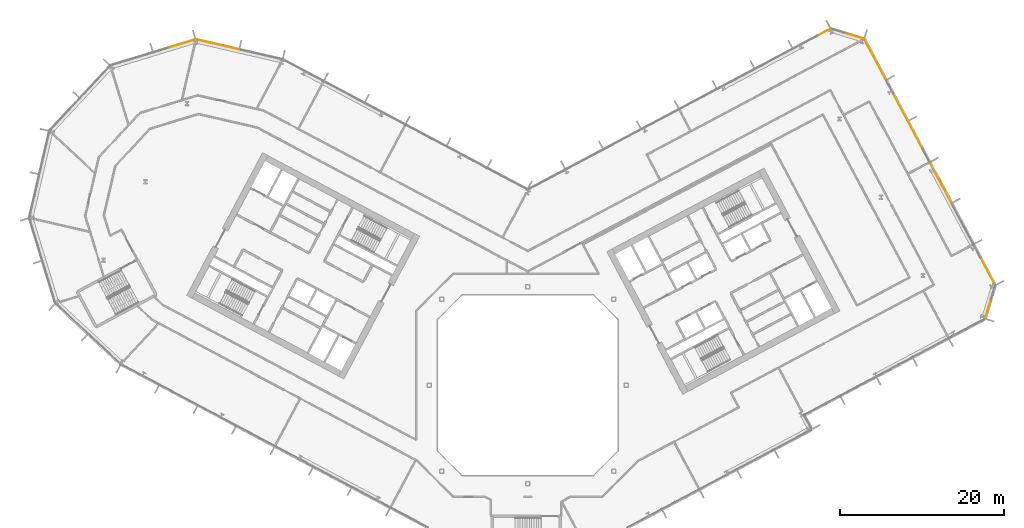
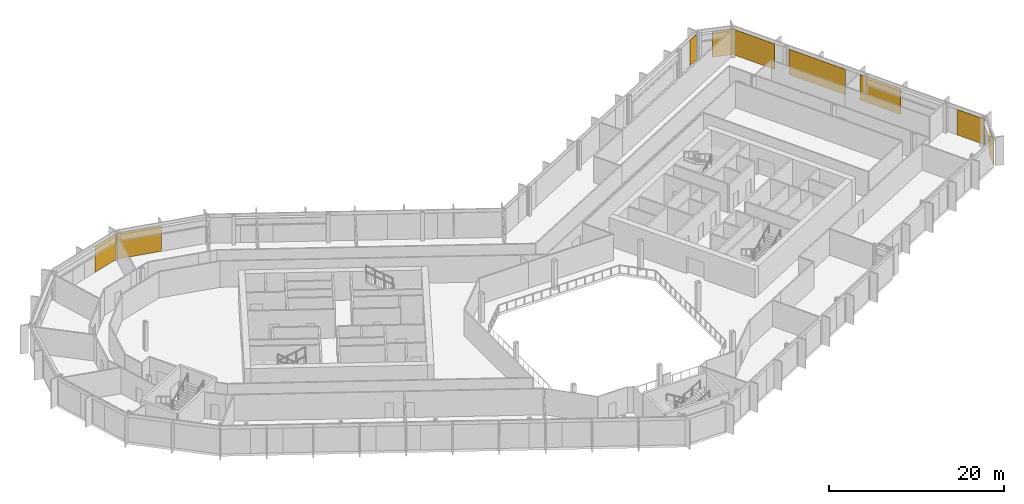
# One storey, part 28 of 28: 9 coverings, 6 elements without a shape of their own.
"""IFC4 building model written with IfcOpenShell, lengths in metres."""

import ifcopenshell
import ifcopenshell.guid

model = None  # the IFC model being written
_history = None  # IfcOwnerHistory: only IFC2X3 demands one
_inside = {}  # id of a spatial element -> (the spatial element, [elements in it])
_under = {}  # id of a project, library or spatial element -> (it, [spatial elements below it])
_declared = {}  # id of a project -> (the project, [libraries it declares])
_typed = {}  # id of a type object -> (the type object, [elements of that type])
_made_of = {}  # id of a material, layer set ... -> (it, [elements and type objects made of it])


def new_model(schema):
    """Start an empty IFC model of exactly this schema.

    Asked for "IFC4X3", IfcOpenShell would pick the latest addendum, in which some entities
    have other attributes; the version numbers below select the first issue.
    IFC2X3 requires an IfcOwnerHistory on every rooted entity: one is made here for all.
    """
    global model, _history
    if schema == "IFC4X3":
        model = ifcopenshell.file(schema_version=(4, 3, 0, 0))
    else:
        model = ifcopenshell.file(schema=schema)
    _inside.clear()
    _under.clear()
    _declared.clear()
    _typed.clear()
    _made_of.clear()
    _history = None
    if model.schema == "IFC2X3":
        org = make("IfcOrganization", Name="unknown")
        user = make(
            "IfcPersonAndOrganization",
            ThePerson=make("IfcPerson", FamilyName="unknown"),
            TheOrganization=org,
        )
        app = make(
            "IfcApplication",
            ApplicationDeveloper=org,
            Version="unknown",
            ApplicationFullName="unknown",
            ApplicationIdentifier="unknown",
        )
        _history = make(
            "IfcOwnerHistory",
            OwningUser=user,
            OwningApplication=app,
            ChangeAction="ADDED",
            CreationDate=0,
        )
    return model


def make(cls, **values):
    """One entity of the class cls with the attributes given. An attribute that is None is left unset."""
    return model.create_entity(
        cls, **{name: value for name, value in values.items() if value is not None}
    )


def rooted(cls, **values):
    """An entity with a GlobalId (a new one), such as an element, a storey or a relation."""
    return make(cls, GlobalId=ifcopenshell.guid.new(), OwnerHistory=_history, **values)


def si_unit(unit_type, name, prefix=None):
    """IfcSIUnit, for example si_unit("LENGTHUNIT", "METRE", prefix="MILLI")."""
    return make("IfcSIUnit", UnitType=unit_type, Prefix=prefix, Name=name)


def assignment(units):
    """IfcUnitAssignment: the units of a project."""
    return None if units is None else make("IfcUnitAssignment", Units=units)


def point(xyz):
    """IfcCartesianPoint."""
    return None if xyz is None else make("IfcCartesianPoint", Coordinates=xyz)


def direction(xyz):
    """IfcDirection."""
    return None if xyz is None else make("IfcDirection", DirectionRatios=xyz)


def frame(location, z_axis=None, x_axis=None):
    """IfcAxis2Placement3D, a coordinate frame: its origin and axes. An axis left out is left unset."""
    return make(
        "IfcAxis2Placement3D",
        Location=point(location),
        Axis=direction(z_axis),
        RefDirection=direction(x_axis),
    )


def frame_2d(location, x_axis=None):
    """IfcAxis2Placement2D, a coordinate frame in the plane: its origin and x axis."""
    return make(
        "IfcAxis2Placement2D", Location=point(location), RefDirection=direction(x_axis)
    )


def origin():
    """The frame at (0, 0, 0) with its axes left unset."""
    return frame((0.0, 0.0, 0.0))


def origin_2d():
    """The frame at (0, 0) in the plane with its x axis left unset."""
    return frame_2d((0.0, 0.0))


def place(relative_to, where):
    """IfcLocalPlacement: puts the frame where relative to a parent placement (None: the world)."""
    return make(
        "IfcLocalPlacement", PlacementRelTo=relative_to, RelativePlacement=where
    )


def context(
    kind, dimensions, precision=None, world=None, true_north=None, identifier=None
):
    """IfcGeometricRepresentationContext, for example the 3D "Model" context."""
    return make(
        "IfcGeometricRepresentationContext",
        ContextIdentifier=identifier,
        ContextType=kind,
        CoordinateSpaceDimension=dimensions,
        Precision=precision,
        WorldCoordinateSystem=world,
        TrueNorth=true_north,
    )


def subcontext(parent, identifier, kind, view, scale=None):
    """IfcGeometricRepresentationSubContext, for example "Body" below "Model"."""
    return make(
        "IfcGeometricRepresentationSubContext",
        ContextIdentifier=identifier,
        ContextType=kind,
        ParentContext=parent,
        TargetScale=scale,
        TargetView=view,
    )


def project(units=None, contexts=None):
    """IfcProject with its units and contexts."""
    return rooted(
        "IfcProject",
        Name="project",
        RepresentationContexts=contexts,
        UnitsInContext=assignment(units),
    )


def spatial(cls, under=None, at=None, **own):
    """A site, building, storey or space (cls), placed at a placement, below another one or the project."""
    s = rooted(cls, ObjectPlacement=at, **own)
    if under is not None:
        _under.setdefault(under.id(), (under, []))[1].append(s)
    return s


def profile(cls, at=None, kind="AREA", **sizes):
    """A parametric profile (cls). Its sizes go by their IFC names, for example OverallWidth=200.0."""
    return make(cls, ProfileType=kind, Position=at, **sizes)


def rectangle(**sizes):
    """IfcRectangleProfileDef."""
    return profile("IfcRectangleProfileDef", **sizes)


def extrude(swept, where, along, depth):
    """IfcExtrudedAreaSolid: the profile swept, set in the frame where, extruded along a direction by depth."""
    return make(
        "IfcExtrudedAreaSolid",
        SweptArea=swept,
        Position=where,
        ExtrudedDirection=direction(along),
        Depth=depth,
    )


def shape(context_of_items, identifier, shape_type, items):
    """IfcShapeRepresentation: the items that make up one representation, for example the "Body"."""
    return make(
        "IfcShapeRepresentation",
        ContextOfItems=context_of_items,
        RepresentationIdentifier=identifier,
        RepresentationType=shape_type,
        Items=items,
    )


def material(Name=None, Category=None):
    """IfcMaterial."""
    return make("IfcMaterial", Name=Name, Category=Category)


def layer(
    of_material, thickness, ventilated=None, Name=None, Category=None, Priority=None
):
    """IfcMaterialLayer: one layer of a wall or slab, of a material (None: an air gap)."""
    return make(
        "IfcMaterialLayer",
        Material=of_material,
        LayerThickness=thickness,
        IsVentilated=ventilated,
        Name=Name,
        Category=Category,
        Priority=Priority,
    )


def layer_set(layers, Name=None):
    """IfcMaterialLayerSet."""
    return make("IfcMaterialLayerSet", MaterialLayers=layers, LayerSetName=Name)


def made_of(thing, what):
    """Note that an element or type object is made of a material, layer set ...; save() writes the relation."""
    if what is not None:
        _made_of.setdefault(what.id(), (what, []))[1].append(thing)
    return thing


def type_object(cls, material=None, **own):
    """A type object (cls), such as IfcWallType, which elements share."""
    return made_of(rooted(cls, **own), material)


def element(
    cls,
    number,
    at=None,
    inside=None,
    cuts=None,
    type_object=None,
    material=None,
    context=None,
    identifier="Body",
    shape_type=None,
    held_by="IfcProductDefinitionShape",
    body=None,
    shapes=None,
    **own,
):
    """One element of the class cls, such as IfcWall. Its Tag is "e" and its number.

    at: its placement. inside: the storey or other place that contains it. cuts: it is an
    opening in that element (IfcRelVoidsElement). A single representation is given by context,
    identifier, shape_type and body (its items); several are given by shapes. held_by: the class
    of the entity that holds the representations. save() writes the other relations.
    """
    e = rooted(cls, Tag="e%d" % number, ObjectPlacement=at, **own)
    if body is not None:
        shapes = [shape(context, identifier, shape_type, body)]
    if shapes is not None:
        e.Representation = make(held_by, Representations=shapes)
    if inside is not None:
        _inside.setdefault(inside.id(), (inside, []))[1].append(e)
    if cuts is not None:
        rooted(
            "IfcRelVoidsElement", RelatingBuildingElement=cuts, RelatedOpeningElement=e
        )
    if type_object is not None:
        _typed.setdefault(type_object.id(), (type_object, []))[1].append(e)
    return made_of(e, material)


def aggregate(whole, parts):
    """IfcRelAggregates: a whole, such as a stair, and the parts it consists of."""
    return rooted("IfcRelAggregates", RelatingObject=whole, RelatedObjects=parts)


def save(model, path):
    """Write the relations noted so far, then the file.

    IfcRelAggregates (storeys below a building ...), IfcRelContainedInSpatialStructure (elements
    in a storey), IfcRelDefinesByType, IfcRelAssociatesMaterial and IfcRelDeclares: one each for
    every whole, place, type object, material and project.
    """
    for whole, parts in _under.values():
        aggregate(whole, parts)
    for where, things in _inside.values():
        rooted(
            "IfcRelContainedInSpatialStructure",
            RelatedElements=things,
            RelatingStructure=where,
        )
    for kind, things in _typed.values():
        rooted("IfcRelDefinesByType", RelatedObjects=things, RelatingType=kind)
    for what, things in _made_of.values():
        rooted("IfcRelAssociatesMaterial", RelatedObjects=things, RelatingMaterial=what)
    for by, libraries in _declared.values():
        rooted("IfcRelDeclares", RelatingContext=by, RelatedDefinitions=libraries)
    model.write(path)


model = new_model("IFC4")

# Units and contexts
model_context = context("Model", 3, precision=1e-05, world=origin(), true_north=direction((0.0, 1.0)))
body_context = subcontext(model_context, "Body", "Model", "MODEL_VIEW")
ifc_project = project(units=[si_unit("LENGTHUNIT", "METRE"), si_unit("AREAUNIT", "SQUARE_METRE"), si_unit("VOLUMEUNIT", "CUBIC_METRE"), si_unit("PLANEANGLEUNIT", "RADIAN"), si_unit("MASSUNIT", "GRAM", prefix="KILO")], contexts=[model_context])

# Site, building, storey
site_placement = place(None, origin())
site = spatial("IfcSite", under=ifc_project, at=site_placement, CompositionType="ELEMENT")
building_placement = place(site_placement, origin())
building = spatial("IfcBuilding", under=site, at=building_placement, Name="Cormorant Relay Tower", CompositionType="ELEMENT")
storey_placement = place(building_placement, frame((0.0, 0.0, 162.199951171875)))
storey = spatial("IfcBuildingStorey", under=building, at=storey_placement, Name="L34", CompositionType="ELEMENT", Elevation=162.199951171875)

# Curtain wall, covering
ifc_material_1 = material(Name="Aluminium 6063-T6 anodised bronze", Category="aluminium")
ifc_layer_1 = layer(ifc_material_1, 0.199951171875)
ifc_layer_set_1 = layer_set([ifc_layer_1], Name="CW1 unitised bronze curtain wall with vertical fins")
curtain_wall_type = type_object("IfcCurtainWallType", Name="CW1 unitised bronze curtain wall with vertical fins", PredefinedType="NOTDEFINED", material=ifc_layer_set_1)
curtain_wall_1_placement = place(storey_placement, origin())
curtain_wall_1 = element("IfcCurtainWall", 1, at=curtain_wall_1_placement, inside=storey, type_object=curtain_wall_type, Name="CW1 curtain wall 5", PredefinedType="NOTDEFINED")
ifc_material_2 = material(Name="Pale bronze anodised aluminium insulated panel", Category="aluminium")
ifc_layer_2 = layer(ifc_material_2, 0.0400390625)
ifc_layer_set_2 = layer_set([ifc_layer_2], Name="CW1 pale bronze insulated panel 40")
covering_type = type_object("IfcCoveringType", Name="CW1 pale bronze insulated panel 40", PredefinedType="CLADDING", material=ifc_layer_set_2)
covering_1_placement = place(storey_placement, frame((56.103515625, 9.303955078125, 0.0), z_axis=(0.0, 0.0, 1.0), x_axis=(0.292371704723, 0.956304755963, 0.0)))
covering_1 = element("IfcCovering", 2, at=covering_1_placement, type_object=covering_type, Name="CW1 panel S00", PredefinedType="CLADDING", context=body_context, shape_type="SweptSolid", body=[
    extrude(rectangle(XDim=2.36767578125, YDim=0.0400390625, at=origin_2d()), origin(), (0.0, 0.0, 1.0), 3.550048828125),
])
aggregate(curtain_wall_1, [covering_1])

# Curtain wall, coverings
curtain_wall_2_placement = place(storey_placement, origin())
curtain_wall_2 = element("IfcCurtainWall", 3, at=curtain_wall_2_placement, inside=storey, type_object=curtain_wall_type, Name="CW1 curtain wall 6", PredefinedType="NOTDEFINED")
covering_2_placement = place(storey_placement, frame((56.066650390625, 13.879638671875, 0.0), z_axis=(0.0, 0.0, 1.0), x_axis=(-0.469471562786, 0.882947592859, 0.0)))
covering_2 = element("IfcCovering", 4, at=covering_2_placement, type_object=covering_type, Name="CW1 panel S00", PredefinedType="CLADDING", context=body_context, shape_type="SweptSolid", body=[
    extrude(rectangle(XDim=3.716796875, YDim=0.0400390625, at=origin_2d()), origin(), (0.0, 0.0, 1.0), 3.550048828125),
])
covering_3_placement = place(storey_placement, frame((50.323486328125, 24.68115234375, 0.0), z_axis=(0.0, 0.0, 1.0), x_axis=(-0.469471562786, 0.882947592859, 0.0)))
covering_3 = element("IfcCovering", 5, at=covering_3_placement, type_object=covering_type, Name="CW1 panel S03", PredefinedType="CLADDING", context=body_context, shape_type="SweptSolid", body=[
    extrude(rectangle(XDim=5.5166015625, YDim=0.0400390625, at=origin_2d()), origin(), (0.0, 0.0, 1.0), 3.550048828125),
])
covering_4_placement = place(storey_placement, frame((46.3330078125, 32.18603515625, 0.0), z_axis=(0.0, 0.0, 1.0), x_axis=(-0.469471562786, 0.882947592859, 0.0)))
covering_4 = element("IfcCovering", 6, at=covering_4_placement, type_object=covering_type, Name="CW1 panel S05", PredefinedType="CLADDING", context=body_context, shape_type="SweptSolid", body=[
    extrude(rectangle(XDim=7.583251953125, YDim=0.0400390625, at=origin_2d()), origin(), (0.0, 0.0, 1.0), 3.550048828125),
])
covering_5_placement = place(storey_placement, frame((42.32470703125, 39.724365234375, 0.0), z_axis=(0.0, 0.0, 1.0), x_axis=(-0.469471562786, 0.882947592859, 0.0)))
covering_5 = element("IfcCovering", 7, at=covering_5_placement, type_object=covering_type, Name="CW1 panel S07", PredefinedType="CLADDING", context=body_context, shape_type="SweptSolid", body=[
    extrude(rectangle(XDim=5.591796875, YDim=0.0400390625, at=origin_2d()), origin(), (0.0, 0.0, 1.0), 3.550048828125),
])
aggregate(curtain_wall_2, [covering_2, covering_3, covering_4, covering_5])

# Curtain wall, covering
curtain_wall_3_placement = place(storey_placement, origin())
curtain_wall_3 = element("IfcCurtainWall", 8, at=curtain_wall_3_placement, inside=storey, type_object=curtain_wall_type, Name="CW1 curtain wall 7", PredefinedType="NOTDEFINED")
covering_6_placement = place(storey_placement, frame((39.796630859375, 42.570556640625, 0.0), z_axis=(0.0, 0.0, 1.0), x_axis=(-0.956304755963, 0.292371704723, 0.0)))
covering_6 = element("IfcCovering", 9, at=covering_6_placement, type_object=covering_type, Name="CW1 panel S00", PredefinedType="CLADDING", context=body_context, shape_type="SweptSolid", body=[
    extrude(rectangle(XDim=2.36767578125, YDim=0.0400390625, at=origin_2d()), origin(), (0.0, 0.0, 1.0), 3.550048828125),
])
aggregate(curtain_wall_3, [covering_6])

curtain_wall_4_placement = place(storey_placement, origin())
curtain_wall_4 = element("IfcCurtainWall", 10, at=curtain_wall_4_placement, inside=storey, type_object=curtain_wall_type, Name="CW1 curtain wall 8", PredefinedType="NOTDEFINED")
covering_7_placement = place(storey_placement, frame((36.208740234375, 43.05908203125, 0.0), z_axis=(0.0, 0.0, 1.0), x_axis=(-0.882947592859, -0.469471562786, 0.0)))
covering_7 = element("IfcCovering", 11, at=covering_7_placement, type_object=covering_type, Name="CW1 panel S00", PredefinedType="CLADDING", context=body_context, shape_type="SweptSolid", body=[
    extrude(rectangle(XDim=1.479248046875, YDim=0.0400390625, at=origin_2d()), origin(), (0.0, 0.0, 1.0), 3.550048828125),
])
aggregate(curtain_wall_4, [covering_7])

curtain_wall_5_placement = place(storey_placement, origin())
curtain_wall_5 = element("IfcCurtainWall", 12, at=curtain_wall_5_placement, inside=storey, type_object=curtain_wall_type, Name="CW1 curtain wall 10", PredefinedType="NOTDEFINED")
covering_8_placement = place(storey_placement, frame((-37.849609375, 41.530029296875, 0.0), z_axis=(0.0, 0.0, 1.0), x_axis=(-0.974370064785, 0.224951054344, 0.0)))
covering_8 = element("IfcCovering", 13, at=covering_8_placement, type_object=covering_type, Name="CW1 panel S01", PredefinedType="CLADDING", context=body_context, shape_type="SweptSolid", body=[
    extrude(rectangle(XDim=5.360107421875, YDim=0.0400390625, at=origin_2d()), origin(), (0.0, 0.0, 1.0), 3.550048828125),
])
aggregate(curtain_wall_5, [covering_8])

curtain_wall_6_placement = place(storey_placement, origin())
curtain_wall_6 = element("IfcCurtainWall", 14, at=curtain_wall_6_placement, inside=storey, type_object=curtain_wall_type, Name="CW1 curtain wall 11", PredefinedType="NOTDEFINED")
covering_9_placement = place(storey_placement, frame((-42.209716796875, 41.60107421875, 0.0), z_axis=(0.0, 0.0, 1.0), x_axis=(-0.956304755963, -0.292371704723, 0.0)))
covering_9 = element("IfcCovering", 15, at=covering_9_placement, type_object=covering_type, Name="CW1 panel S00", PredefinedType="CLADDING", context=body_context, shape_type="SweptSolid", body=[
    extrude(rectangle(XDim=3.485107421875, YDim=0.0400390625, at=origin_2d()), origin(), (0.0, 0.0, 1.0), 3.550048828125),
])
aggregate(curtain_wall_6, [covering_9])

save(model, "model.ifc")
